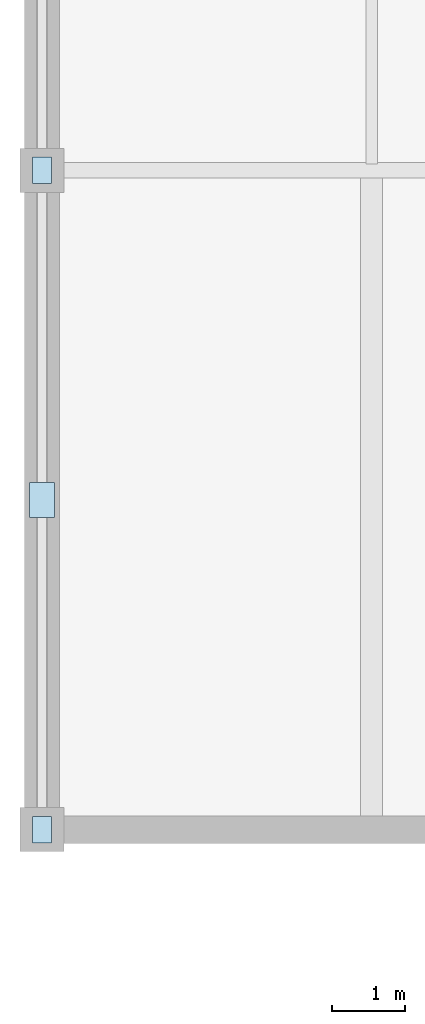
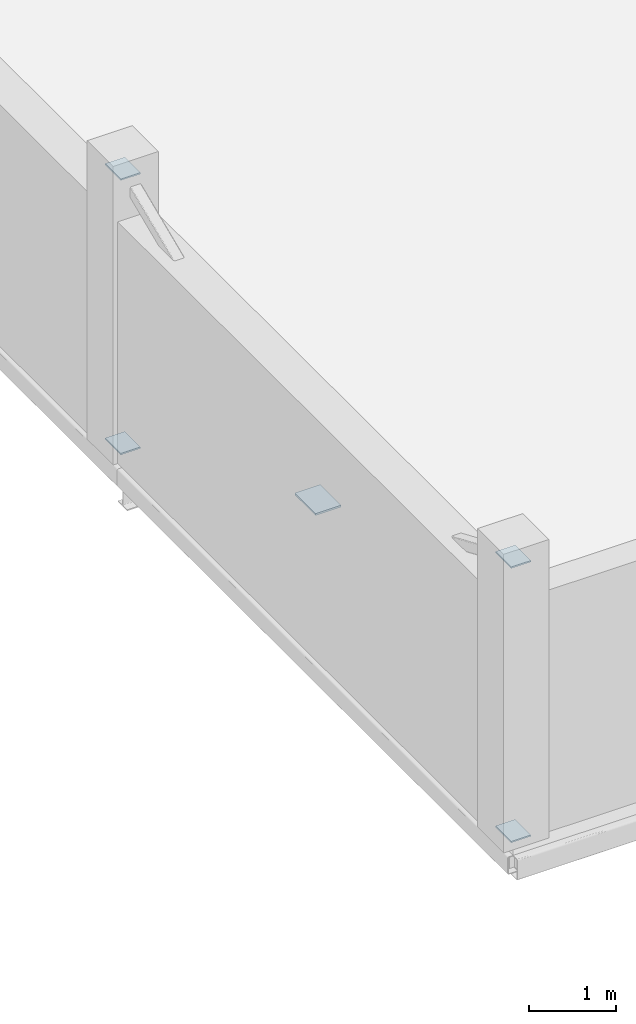
# One storey, part 132 of 161: 5 plates.
"""IFC4 building model written with IfcOpenShell, lengths in metres."""

from ifc_helpers import new_model, si_unit, direction, frame, origin, origin_2d, place, context, subcontext, project, spatial, rectangle, extrude, material, layer, layer_set, type_object, element, save


model = new_model("IFC4")

# Units and contexts
model_context = context("Model", 3, precision=1e-05, world=origin(), true_north=direction((0.0, 1.0)))
body_context = subcontext(model_context, "Body", "Model", "MODEL_VIEW")
ifc_project = project(units=[si_unit("LENGTHUNIT", "METRE"), si_unit("AREAUNIT", "SQUARE_METRE"), si_unit("VOLUMEUNIT", "CUBIC_METRE"), si_unit("PLANEANGLEUNIT", "RADIAN"), si_unit("MASSUNIT", "GRAM", prefix="KILO")], contexts=[model_context])

# Site, building, storey
site_placement = place(None, origin())
site = spatial("IfcSite", under=ifc_project, at=site_placement, CompositionType="ELEMENT")
building_placement = place(site_placement, origin())
building = spatial("IfcBuilding", under=site, at=building_placement, Name="Kildeholm Park Wholesale Market", CompositionType="ELEMENT")
storey_placement = place(building_placement, frame((0.0, 0.0, 5.39990234375)))
storey = spatial("IfcBuildingStorey", under=building, at=storey_placement, Name="L01", CompositionType="ELEMENT", Elevation=5.39990234375)

# Plates
ifc_material = material(Name="Steel S355", Category="steel")
ifc_layer_1 = layer(ifc_material, 0.02001953125)
ifc_layer_set_1 = layer_set([ifc_layer_1], Name="Steel S355")
plate_type_1 = type_object("IfcPlateType", Name="Steel connection plate EP-01 360x260x20", PredefinedType="SHEET", material=ifc_layer_set_1)
for number, where, z_axis, x_axis, name in (
    (1, (0.0, 99.0, 0.010009765625), (0.0, 0.0, 1.0), (0.0, 1.0, 0.0), "Brace end connection plate BR-V4-L01-1 PLT-0133"),
    (2, (0.0, 108.0, 3.8701171875), (0.0, 0.0, 1.0), (0.0, 1.0, 0.0), "Brace end connection plate BR-V4-L01-2 PLT-0134"),
    (3, (0.0, 108.0, 0.010009765625), (0.0, 0.0, 1.0), (0.0, 1.0, 0.0), "Brace end connection plate BR-V4-L01-3 PLT-0135"),
    (4, (0.0, 99.0, 3.8701171875), (0.0, 0.0, 1.0), (0.0, 1.0, 0.0), "Brace end connection plate BR-V4-L01-4 PLT-0136"),
):
    element("IfcPlate", number, at=place(storey_placement, frame(where, z_axis=z_axis, x_axis=x_axis)), inside=storey, type_object=plate_type_1, Name=name, PredefinedType="SHEET", context=body_context, shape_type="SweptSolid", body=[
        extrude(rectangle(XDim=0.360107421875, YDim=0.260009765625, at=origin_2d()), origin(), (0.0, 0.0, 1.0), 0.02001953125),
    ])
ifc_layer_2 = layer(ifc_material, 0.02587890625)
ifc_layer_set_2 = layer_set([ifc_layer_2], Name="Steel S355")
plate_type_2 = type_object("IfcPlateType", Name="Steel connection plate GP-02 480x340x26", PredefinedType="SHEET", material=ifc_layer_set_2)
plate_placement = place(storey_placement, frame((0.0, 103.5, 1.937255859375), z_axis=(0.0, 0.0, 1.0), x_axis=(0.0, 1.0, 0.0)))
element("IfcPlate", 5, at=plate_placement, inside=storey, type_object=plate_type_2, Name="X-brace crossing gusset plate BR-V4-L01 PLT-0132", PredefinedType="SHEET", context=body_context, shape_type="SweptSolid", body=[
    extrude(rectangle(XDim=0.47998046875, YDim=0.340087890625, at=origin_2d()), origin(), (0.0, 0.0, 1.0), 0.02587890625),
])

save(model, "model.ifc")
